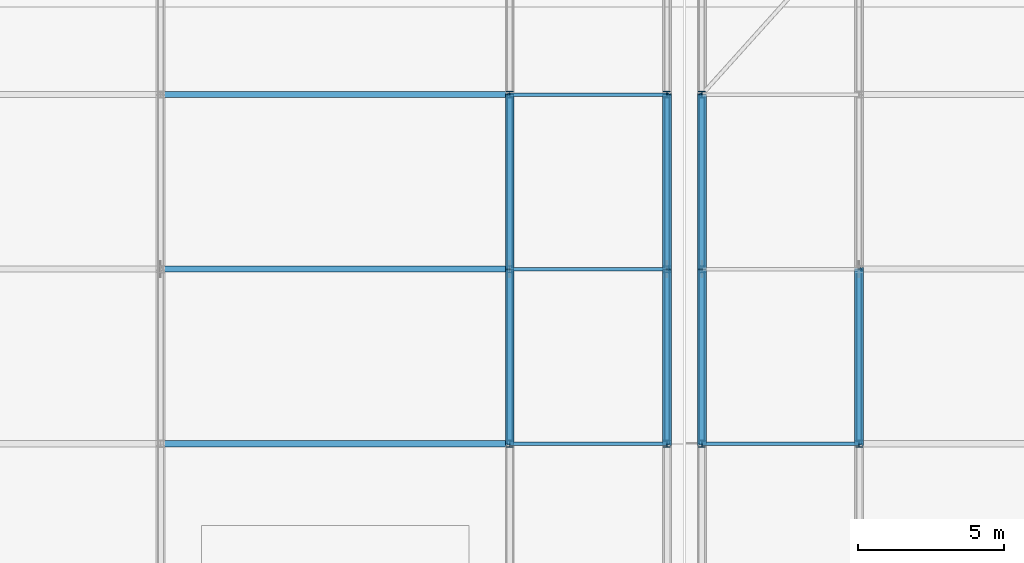
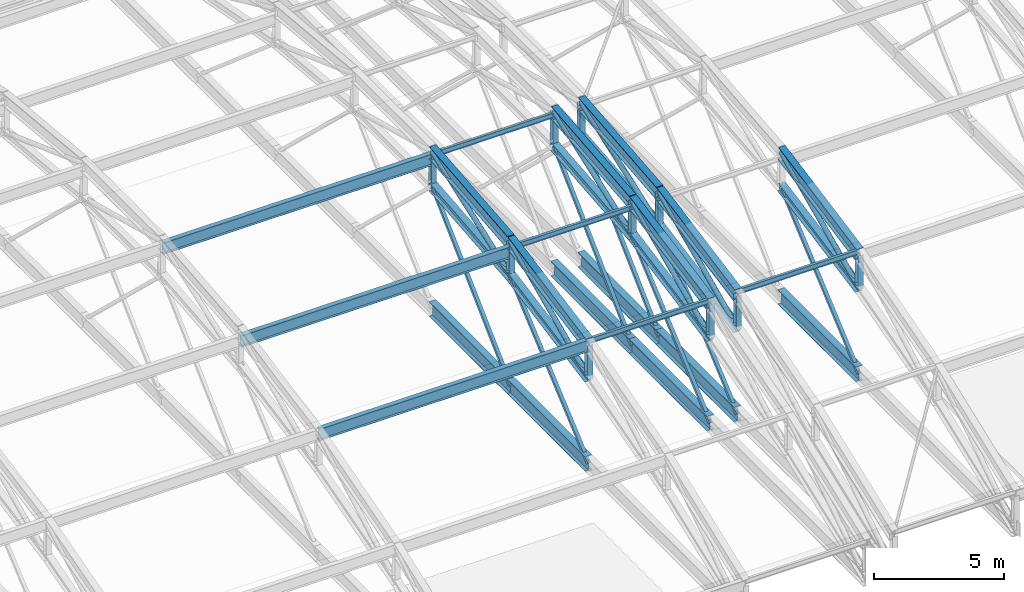
# One storey, part 125 of 204: 52 members.
"""IFC4 building model written with IfcOpenShell, lengths in metres."""

from ifc_helpers import new_model, si_unit, direction, frame, origin, origin_2d, place, context, subcontext, project, spatial, hollow_rectangle, hollow_circle, i_section, extrude, material, material_profile, profile_set, type_object, element, save


model = new_model("IFC4")

# Units and contexts
model_context = context("Model", 3, precision=1e-05, world=origin(), true_north=direction((0.0, 1.0)))
body_context = subcontext(model_context, "Body", "Model", "MODEL_VIEW")
ifc_project = project(units=[si_unit("LENGTHUNIT", "METRE"), si_unit("AREAUNIT", "SQUARE_METRE"), si_unit("VOLUMEUNIT", "CUBIC_METRE"), si_unit("PLANEANGLEUNIT", "RADIAN"), si_unit("MASSUNIT", "GRAM", prefix="KILO")], contexts=[model_context])

# Site, building, storey
site_placement = place(None, origin())
site = spatial("IfcSite", under=ifc_project, at=site_placement, CompositionType="ELEMENT")
building_placement = place(site_placement, origin())
building = spatial("IfcBuilding", under=site, at=building_placement, Name="Zilviju Railside Exhibition Hall", CompositionType="ELEMENT")
storey_placement = place(building_placement, frame((0.0, 0.0, 21.0)))
storey = spatial("IfcBuildingStorey", under=building, at=storey_placement, Name="RF", CompositionType="ELEMENT", Elevation=21.0)

# Members
ifc_material = material(Name="Steel S355J2", Category="steel")
ifc_material_profile_1 = material_profile(ifc_material, hollow_circle(Radius=0.109619140625, WallThickness=0.010009765625, at=origin_2d()), Name="CHS 219.1x10.0")
ifc_profile_set_1 = profile_set([ifc_material_profile_1], Name="Steel S355J2")
member_type_1 = type_object("IfcMemberType", Name="TR-BR-CHS219", PredefinedType="BRACE", material=ifc_profile_set_1)
member_1_placement = place(storey_placement, frame((168.0, 96.0, 0.409912109375), z_axis=(0.0, 0.909316915895, 0.416104249518), x_axis=(-1.0, 0.0, 0.0)))
element("IfcMember", 1, at=member_1_placement, inside=storey, type_object=member_type_1, Name="V2 Parabolic Arch Web Diagonal X=168.0 P3", PredefinedType="BRACE", context=body_context, shape_type="SweptSolid", body=[
    extrude(hollow_circle(Radius=0.109619140625, WallThickness=0.010009765625, at=origin_2d()), origin(), (0.0, 0.0, 1.0), 6.598388671875),
])
member_2_placement = place(storey_placement, frame((168.0, 102.0, 1.5556640625), z_axis=(0.0, 0.940243888255, 0.340501733621), x_axis=(-1.0, 0.0, 0.0)))
element("IfcMember", 2, at=member_2_placement, inside=storey, type_object=member_type_1, Name="V2 Parabolic Arch Web Diagonal X=168.0 P4", PredefinedType="BRACE", context=body_context, shape_type="SweptSolid", body=[
    extrude(hollow_circle(Radius=0.109619140625, WallThickness=0.010009765625, at=origin_2d()), origin(), (0.0, 0.0, 1.0), 6.38134765625),
])
member_3_placement = place(storey_placement, frame((173.39990234375, 96.0, 0.409912109375), z_axis=(0.0, 0.909316915895, 0.416104249518), x_axis=(-1.0, 0.0, 0.0)))
element("IfcMember", 3, at=member_3_placement, inside=storey, type_object=member_type_1, Name="V2 Parabolic Arch Web Diagonal X=173.4 P3", PredefinedType="BRACE", context=body_context, shape_type="SweptSolid", body=[
    extrude(hollow_circle(Radius=0.109619140625, WallThickness=0.010009765625, at=origin_2d()), origin(), (0.0, 0.0, 1.0), 6.598388671875),
])
member_4_placement = place(storey_placement, frame((173.39990234375, 102.0, 1.5556640625), z_axis=(0.0, 0.940243888255, 0.340501733621), x_axis=(-1.0, 0.0, 0.0)))
element("IfcMember", 4, at=member_4_placement, inside=storey, type_object=member_type_1, Name="V2 Parabolic Arch Web Diagonal X=173.4 P4", PredefinedType="BRACE", context=body_context, shape_type="SweptSolid", body=[
    extrude(hollow_circle(Radius=0.109619140625, WallThickness=0.010009765625, at=origin_2d()), origin(), (0.0, 0.0, 1.0), 6.38134765625),
])
member_5_placement = place(storey_placement, frame((174.60009765625, 96.0, 0.409912109375), z_axis=(0.0, 0.909316915895, 0.416104249518), x_axis=(-1.0, 0.0, 0.0)))
element("IfcMember", 5, at=member_5_placement, inside=storey, type_object=member_type_1, Name="V2 Parabolic Arch Web Diagonal X=174.6 P3", PredefinedType="BRACE", context=body_context, shape_type="SweptSolid", body=[
    extrude(hollow_circle(Radius=0.109619140625, WallThickness=0.010009765625, at=origin_2d()), origin(), (0.0, 0.0, 1.0), 6.598388671875),
])
member_6_placement = place(storey_placement, frame((174.60009765625, 102.0, 1.5556640625), z_axis=(0.0, 0.940243888255, 0.340501733621), x_axis=(-1.0, 0.0, 0.0)))
element("IfcMember", 6, at=member_6_placement, inside=storey, type_object=member_type_1, Name="V2 Parabolic Arch Web Diagonal X=174.6 P4", PredefinedType="BRACE", context=body_context, shape_type="SweptSolid", body=[
    extrude(hollow_circle(Radius=0.109619140625, WallThickness=0.010009765625, at=origin_2d()), origin(), (0.0, 0.0, 1.0), 6.38134765625),
])
member_7_placement = place(storey_placement, frame((180.0, 96.0, 0.409912109375), z_axis=(0.0, 0.909316915895, 0.416104249518), x_axis=(-1.0, 0.0, 0.0)))
element("IfcMember", 7, at=member_7_placement, inside=storey, type_object=member_type_1, Name="V2 Parabolic Arch Web Diagonal X=180.0 P3", PredefinedType="BRACE", context=body_context, shape_type="SweptSolid", body=[
    extrude(hollow_circle(Radius=0.109619140625, WallThickness=0.010009765625, at=origin_2d()), origin(), (0.0, 0.0, 1.0), 6.598388671875),
])
ifc_material_profile_2 = material_profile(ifc_material, i_section(OverallWidth=0.300048828125, OverallDepth=0.39990234375, WebThickness=0.013427734375, FlangeThickness=0.02392578125, at=origin_2d()), Name="HEB 400")
ifc_profile_set_2 = profile_set([ifc_material_profile_2], Name="Steel S355J2")
member_type_2 = type_object("IfcMemberType", Name="TR-CH-HEB400", PredefinedType="CHORD", material=ifc_profile_set_2)
member_8_placement = place(storey_placement, frame((168.0, 96.0, 0.409912109375), z_axis=(0.0, 0.98225135267, 0.187569400964), x_axis=(-1.0, 0.0, 0.0)))
element("IfcMember", 8, at=member_8_placement, inside=storey, type_object=member_type_2, Name="V2 Parabolic Arch Bottom Chord X=168.0 P3", PredefinedType="CHORD", context=body_context, shape_type="SweptSolid", body=[
    extrude(i_section(OverallWidth=0.300048828125, OverallDepth=0.39990234375, WebThickness=0.013427734375, FlangeThickness=0.02392578125, at=origin_2d()), origin(), (0.0, 0.0, 1.0), 6.1083984375),
])
member_9_placement = place(storey_placement, frame((168.0, 102.0, 1.5556640625), z_axis=(0.0, 0.995474695123, 0.095027003367), x_axis=(-1.0, 0.0, 0.0)))
element("IfcMember", 9, at=member_9_placement, inside=storey, type_object=member_type_2, Name="V2 Parabolic Arch Bottom Chord X=168.0 P4", PredefinedType="CHORD", context=body_context, shape_type="SweptSolid", body=[
    extrude(i_section(OverallWidth=0.300048828125, OverallDepth=0.39990234375, WebThickness=0.013427734375, FlangeThickness=0.02392578125, at=origin_2d()), origin(), (0.0, 0.0, 1.0), 6.02734375),
])
member_10_placement = place(storey_placement, frame((173.39990234375, 96.0, 0.409912109375), z_axis=(0.0, 0.98225135267, 0.187569400964), x_axis=(-1.0, 0.0, 0.0)))
element("IfcMember", 10, at=member_10_placement, inside=storey, type_object=member_type_2, Name="V2 Parabolic Arch Bottom Chord X=173.4 P3", PredefinedType="CHORD", context=body_context, shape_type="SweptSolid", body=[
    extrude(i_section(OverallWidth=0.300048828125, OverallDepth=0.39990234375, WebThickness=0.013427734375, FlangeThickness=0.02392578125, at=origin_2d()), origin(), (0.0, 0.0, 1.0), 6.1083984375),
])
member_11_placement = place(storey_placement, frame((173.39990234375, 102.0, 1.5556640625), z_axis=(0.0, 0.995474695123, 0.095027003367), x_axis=(-1.0, 0.0, 0.0)))
element("IfcMember", 11, at=member_11_placement, inside=storey, type_object=member_type_2, Name="V2 Parabolic Arch Bottom Chord X=173.4 P4", PredefinedType="CHORD", context=body_context, shape_type="SweptSolid", body=[
    extrude(i_section(OverallWidth=0.300048828125, OverallDepth=0.39990234375, WebThickness=0.013427734375, FlangeThickness=0.02392578125, at=origin_2d()), origin(), (0.0, 0.0, 1.0), 6.02734375),
])
member_12_placement = place(storey_placement, frame((174.60009765625, 96.0, 0.409912109375), z_axis=(0.0, 0.98225135267, 0.187569400964), x_axis=(-1.0, 0.0, 0.0)))
element("IfcMember", 12, at=member_12_placement, inside=storey, type_object=member_type_2, Name="V2 Parabolic Arch Bottom Chord X=174.6 P3", PredefinedType="CHORD", context=body_context, shape_type="SweptSolid", body=[
    extrude(i_section(OverallWidth=0.300048828125, OverallDepth=0.39990234375, WebThickness=0.013427734375, FlangeThickness=0.02392578125, at=origin_2d()), origin(), (0.0, 0.0, 1.0), 6.1083984375),
])
member_13_placement = place(storey_placement, frame((174.60009765625, 102.0, 1.5556640625), z_axis=(0.0, 0.995474695123, 0.095027003367), x_axis=(-1.0, 0.0, 0.0)))
element("IfcMember", 13, at=member_13_placement, inside=storey, type_object=member_type_2, Name="V2 Parabolic Arch Bottom Chord X=174.6 P4", PredefinedType="CHORD", context=body_context, shape_type="SweptSolid", body=[
    extrude(i_section(OverallWidth=0.300048828125, OverallDepth=0.39990234375, WebThickness=0.013427734375, FlangeThickness=0.02392578125, at=origin_2d()), origin(), (0.0, 0.0, 1.0), 6.02734375),
])
member_14_placement = place(storey_placement, frame((180.0, 96.0, 0.409912109375), z_axis=(0.0, 0.98225135267, 0.187569400964), x_axis=(-1.0, 0.0, 0.0)))
element("IfcMember", 14, at=member_14_placement, inside=storey, type_object=member_type_2, Name="V2 Parabolic Arch Bottom Chord X=180.0 P3", PredefinedType="CHORD", context=body_context, shape_type="SweptSolid", body=[
    extrude(i_section(OverallWidth=0.300048828125, OverallDepth=0.39990234375, WebThickness=0.013427734375, FlangeThickness=0.02392578125, at=origin_2d()), origin(), (0.0, 0.0, 1.0), 6.1083984375),
])
ifc_material_profile_3 = material_profile(ifc_material, i_section(OverallWidth=0.300048828125, OverallDepth=0.60009765625, WebThickness=0.015380859375, FlangeThickness=0.030029296875, at=origin_2d()), Name="HEB 600")
ifc_profile_set_3 = profile_set([ifc_material_profile_3], Name="Steel S355J2")
member_type_3 = type_object("IfcMemberType", Name="TR-CH-HEB600", PredefinedType="CHORD", material=ifc_profile_set_3)
member_15_placement = place(storey_placement, frame((168.0, 96.0, 2.009765625), z_axis=(0.0, 0.98225135267, 0.187569400964), x_axis=(-1.0, 0.0, 0.0)))
element("IfcMember", 15, at=member_15_placement, inside=storey, type_object=member_type_3, Name="V2 Parabolic Arch Top Chord X=168.0 P3", PredefinedType="CHORD", context=body_context, shape_type="SweptSolid", body=[
    extrude(i_section(OverallWidth=0.300048828125, OverallDepth=0.60009765625, WebThickness=0.015380859375, FlangeThickness=0.030029296875, at=origin_2d()), origin(), (0.0, 0.0, 1.0), 6.1083984375),
])
member_16_placement = place(storey_placement, frame((168.0, 102.0, 3.155517578125), z_axis=(0.0, 0.995470862587, 0.095067143331), x_axis=(-1.0, 0.0, 0.0)))
element("IfcMember", 16, at=member_16_placement, inside=storey, type_object=member_type_3, Name="V2 Parabolic Arch Top Chord X=168.0 P4", PredefinedType="CHORD", context=body_context, shape_type="SweptSolid", body=[
    extrude(i_section(OverallWidth=0.300048828125, OverallDepth=0.60009765625, WebThickness=0.015380859375, FlangeThickness=0.030029296875, at=origin_2d()), origin(), (0.0, 0.0, 1.0), 6.02734375),
])
member_17_placement = place(storey_placement, frame((173.39990234375, 96.0, 2.009765625), z_axis=(0.0, 0.98225135267, 0.187569400964), x_axis=(-1.0, 0.0, 0.0)))
element("IfcMember", 17, at=member_17_placement, inside=storey, type_object=member_type_3, Name="V2 Parabolic Arch Top Chord X=173.4 P3", PredefinedType="CHORD", context=body_context, shape_type="SweptSolid", body=[
    extrude(i_section(OverallWidth=0.300048828125, OverallDepth=0.60009765625, WebThickness=0.015380859375, FlangeThickness=0.030029296875, at=origin_2d()), origin(), (0.0, 0.0, 1.0), 6.1083984375),
])
member_18_placement = place(storey_placement, frame((173.39990234375, 102.0, 3.155517578125), z_axis=(0.0, 0.995470862587, 0.095067143331), x_axis=(-1.0, 0.0, 0.0)))
element("IfcMember", 18, at=member_18_placement, inside=storey, type_object=member_type_3, Name="V2 Parabolic Arch Top Chord X=173.4 P4", PredefinedType="CHORD", context=body_context, shape_type="SweptSolid", body=[
    extrude(i_section(OverallWidth=0.300048828125, OverallDepth=0.60009765625, WebThickness=0.015380859375, FlangeThickness=0.030029296875, at=origin_2d()), origin(), (0.0, 0.0, 1.0), 6.02734375),
])
member_19_placement = place(storey_placement, frame((174.60009765625, 96.0, 2.009765625), z_axis=(0.0, 0.98225135267, 0.187569400964), x_axis=(-1.0, 0.0, 0.0)))
element("IfcMember", 19, at=member_19_placement, inside=storey, type_object=member_type_3, Name="V2 Parabolic Arch Top Chord X=174.6 P3", PredefinedType="CHORD", context=body_context, shape_type="SweptSolid", body=[
    extrude(i_section(OverallWidth=0.300048828125, OverallDepth=0.60009765625, WebThickness=0.015380859375, FlangeThickness=0.030029296875, at=origin_2d()), origin(), (0.0, 0.0, 1.0), 6.1083984375),
])
member_20_placement = place(storey_placement, frame((174.60009765625, 102.0, 3.155517578125), z_axis=(0.0, 0.995470862587, 0.095067143331), x_axis=(-1.0, 0.0, 0.0)))
element("IfcMember", 20, at=member_20_placement, inside=storey, type_object=member_type_3, Name="V2 Parabolic Arch Top Chord X=174.6 P4", PredefinedType="CHORD", context=body_context, shape_type="SweptSolid", body=[
    extrude(i_section(OverallWidth=0.300048828125, OverallDepth=0.60009765625, WebThickness=0.015380859375, FlangeThickness=0.030029296875, at=origin_2d()), origin(), (0.0, 0.0, 1.0), 6.02734375),
])
member_21_placement = place(storey_placement, frame((180.0, 96.0, 2.009765625), z_axis=(0.0, 0.98225135267, 0.187569400964), x_axis=(-1.0, 0.0, 0.0)))
element("IfcMember", 21, at=member_21_placement, inside=storey, type_object=member_type_3, Name="V2 Parabolic Arch Top Chord X=180.0 P3", PredefinedType="CHORD", context=body_context, shape_type="SweptSolid", body=[
    extrude(i_section(OverallWidth=0.300048828125, OverallDepth=0.60009765625, WebThickness=0.015380859375, FlangeThickness=0.030029296875, at=origin_2d()), origin(), (0.0, 0.0, 1.0), 6.1083984375),
])
ifc_material_profile_4 = material_profile(ifc_material, i_section(OverallWidth=0.239990234375, OverallDepth=0.22998046875, WebThickness=0.007568359375, FlangeThickness=0.011962890625, at=origin_2d()), Name="HEA 240")
ifc_profile_set_4 = profile_set([ifc_material_profile_4], Name="Steel S355J2")
member_type_4 = type_object("IfcMemberType", Name="TR-POST-HEA240", PredefinedType="POST", material=ifc_profile_set_4)
for number, where, z_axis, x_axis, name in (
    (22, (168.0, 96.0, 0.409912109375), (0.0, 0.0, 1.0), (1.0, 0.0, 0.0), "V2 Parabolic Arch Web Post X=168.0 N2"),
    (23, (168.0, 102.0, 1.5556640625), (0.0, 0.0, 1.0), (1.0, 0.0, 0.0), "V2 Parabolic Arch Web Post X=168.0 N3"),
):
    element("IfcMember", number, at=place(storey_placement, frame(where, z_axis=z_axis, x_axis=x_axis)), inside=storey, type_object=member_type_4, Name=name, PredefinedType="POST", context=body_context, shape_type="SweptSolid", body=[
        extrude(i_section(OverallWidth=0.239990234375, OverallDepth=0.22998046875, WebThickness=0.007568359375, FlangeThickness=0.011962890625, at=origin_2d()), origin(), (0.0, 0.0, 1.0), 1.599853515625),
    ])
member_22_placement = place(storey_placement, frame((168.0, 108.0, 2.12841796875), z_axis=(0.0, 0.0, 1.0), x_axis=(1.0, 0.0, 0.0)))
element("IfcMember", 24, at=member_22_placement, inside=storey, type_object=member_type_4, Name="V2 Parabolic Arch Web Post X=168.0 N4", PredefinedType="POST", context=body_context, shape_type="SweptSolid", body=[
    extrude(i_section(OverallWidth=0.239990234375, OverallDepth=0.22998046875, WebThickness=0.007568359375, FlangeThickness=0.011962890625, at=origin_2d()), origin(), (0.0, 0.0, 1.0), 1.60009765625),
])
for number, where, z_axis, x_axis, name in (
    (25, (173.39990234375, 96.0, 0.409912109375), (0.0, 0.0, 1.0), (1.0, 0.0, 0.0), "V2 Parabolic Arch Web Post X=173.4 N2"),
    (26, (173.39990234375, 102.0, 1.5556640625), (0.0, 0.0, 1.0), (1.0, 0.0, 0.0), "V2 Parabolic Arch Web Post X=173.4 N3"),
):
    element("IfcMember", number, at=place(storey_placement, frame(where, z_axis=z_axis, x_axis=x_axis)), inside=storey, type_object=member_type_4, Name=name, PredefinedType="POST", context=body_context, shape_type="SweptSolid", body=[
        extrude(i_section(OverallWidth=0.239990234375, OverallDepth=0.22998046875, WebThickness=0.007568359375, FlangeThickness=0.011962890625, at=origin_2d()), origin(), (0.0, 0.0, 1.0), 1.599853515625),
    ])
member_23_placement = place(storey_placement, frame((173.39990234375, 108.0, 2.12841796875), z_axis=(0.0, 0.0, 1.0), x_axis=(1.0, 0.0, 0.0)))
element("IfcMember", 27, at=member_23_placement, inside=storey, type_object=member_type_4, Name="V2 Parabolic Arch Web Post X=173.4 N4", PredefinedType="POST", context=body_context, shape_type="SweptSolid", body=[
    extrude(i_section(OverallWidth=0.239990234375, OverallDepth=0.22998046875, WebThickness=0.007568359375, FlangeThickness=0.011962890625, at=origin_2d()), origin(), (0.0, 0.0, 1.0), 1.60009765625),
])
for number, where, z_axis, x_axis, name in (
    (28, (174.60009765625, 96.0, 0.409912109375), (0.0, 0.0, 1.0), (1.0, 0.0, 0.0), "V2 Parabolic Arch Web Post X=174.6 N2"),
    (29, (174.60009765625, 102.0, 1.5556640625), (0.0, 0.0, 1.0), (1.0, 0.0, 0.0), "V2 Parabolic Arch Web Post X=174.6 N3"),
):
    element("IfcMember", number, at=place(storey_placement, frame(where, z_axis=z_axis, x_axis=x_axis)), inside=storey, type_object=member_type_4, Name=name, PredefinedType="POST", context=body_context, shape_type="SweptSolid", body=[
        extrude(i_section(OverallWidth=0.239990234375, OverallDepth=0.22998046875, WebThickness=0.007568359375, FlangeThickness=0.011962890625, at=origin_2d()), origin(), (0.0, 0.0, 1.0), 1.599853515625),
    ])
member_24_placement = place(storey_placement, frame((174.60009765625, 108.0, 2.12841796875), z_axis=(0.0, 0.0, 1.0), x_axis=(1.0, 0.0, 0.0)))
element("IfcMember", 30, at=member_24_placement, inside=storey, type_object=member_type_4, Name="V2 Parabolic Arch Web Post X=174.6 N4", PredefinedType="POST", context=body_context, shape_type="SweptSolid", body=[
    extrude(i_section(OverallWidth=0.239990234375, OverallDepth=0.22998046875, WebThickness=0.007568359375, FlangeThickness=0.011962890625, at=origin_2d()), origin(), (0.0, 0.0, 1.0), 1.60009765625),
])
member_25_placement = place(storey_placement, frame((180.0, 96.0, 0.409912109375), z_axis=(0.0, 0.0, 1.0), x_axis=(1.0, 0.0, 0.0)))
element("IfcMember", 31, at=member_25_placement, inside=storey, type_object=member_type_4, Name="V2 Parabolic Arch Web Post X=180.0 N2", PredefinedType="POST", context=body_context, shape_type="SweptSolid", body=[
    extrude(i_section(OverallWidth=0.239990234375, OverallDepth=0.22998046875, WebThickness=0.007568359375, FlangeThickness=0.011962890625, at=origin_2d()), origin(), (0.0, 0.0, 1.0), 1.599853515625),
])
ifc_material_profile_5 = material_profile(ifc_material, hollow_rectangle(XDim=0.14990234375, YDim=0.14990234375, WallThickness=0.008056640625, at=origin_2d()), Name="SHS 150x150x8.0")
ifc_profile_set_5 = profile_set([ifc_material_profile_5], Name="Steel S355J2")
member_type_5 = type_object("IfcMemberType", Name="TR-POST-SHS150", PredefinedType="POST", material=ifc_profile_set_5)
member_26_placement = place(storey_placement, frame((168.0, 96.0, -3.60009765625), z_axis=(0.0, 0.758449992634, 0.651731239602), x_axis=(-1.0, 0.0, 0.0)))
element("IfcMember", 32, at=member_26_placement, inside=storey, type_object=member_type_5, Name="V2 Arch Tie Hanger X=168.0 N2", PredefinedType="POST", context=body_context, shape_type="SweptSolid", body=[
    extrude(hollow_rectangle(XDim=0.14990234375, YDim=0.14990234375, WallThickness=0.008056640625, at=origin_2d()), origin(), (0.0, 0.0, 1.0), 7.910888671875),
])
member_27_placement = place(storey_placement, frame((168.0, 102.0, -3.60009765625), z_axis=(0.0, 0.723280707221, 0.690554138763), x_axis=(-1.0, 0.0, 0.0)))
element("IfcMember", 33, at=member_27_placement, inside=storey, type_object=member_type_5, Name="V2 Arch Tie Hanger X=168.0 N3", PredefinedType="POST", context=body_context, shape_type="SweptSolid", body=[
    extrude(hollow_rectangle(XDim=0.14990234375, YDim=0.14990234375, WallThickness=0.008056640625, at=origin_2d()), origin(), (0.0, 0.0, 1.0), 8.295654296875),
])
member_28_placement = place(storey_placement, frame((173.39990234375, 96.0, -3.60009765625), z_axis=(0.0, 0.758449992634, 0.651731239602), x_axis=(-1.0, 0.0, 0.0)))
element("IfcMember", 34, at=member_28_placement, inside=storey, type_object=member_type_5, Name="V2 Arch Tie Hanger X=173.4 N2", PredefinedType="POST", context=body_context, shape_type="SweptSolid", body=[
    extrude(hollow_rectangle(XDim=0.14990234375, YDim=0.14990234375, WallThickness=0.008056640625, at=origin_2d()), origin(), (0.0, 0.0, 1.0), 7.910888671875),
])
member_29_placement = place(storey_placement, frame((173.39990234375, 102.0, -3.60009765625), z_axis=(0.0, 0.723280707221, 0.690554138763), x_axis=(-1.0, 0.0, 0.0)))
element("IfcMember", 35, at=member_29_placement, inside=storey, type_object=member_type_5, Name="V2 Arch Tie Hanger X=173.4 N3", PredefinedType="POST", context=body_context, shape_type="SweptSolid", body=[
    extrude(hollow_rectangle(XDim=0.14990234375, YDim=0.14990234375, WallThickness=0.008056640625, at=origin_2d()), origin(), (0.0, 0.0, 1.0), 8.295654296875),
])
member_30_placement = place(storey_placement, frame((174.60009765625, 96.0, -3.60009765625), z_axis=(0.0, 0.758449992634, 0.651731239602), x_axis=(-1.0, 0.0, 0.0)))
element("IfcMember", 36, at=member_30_placement, inside=storey, type_object=member_type_5, Name="V2 Arch Tie Hanger X=174.6 N2", PredefinedType="POST", context=body_context, shape_type="SweptSolid", body=[
    extrude(hollow_rectangle(XDim=0.14990234375, YDim=0.14990234375, WallThickness=0.008056640625, at=origin_2d()), origin(), (0.0, 0.0, 1.0), 7.910888671875),
])
member_31_placement = place(storey_placement, frame((174.60009765625, 102.0, -3.60009765625), z_axis=(0.0, 0.723280707221, 0.690554138763), x_axis=(-1.0, 0.0, 0.0)))
element("IfcMember", 37, at=member_31_placement, inside=storey, type_object=member_type_5, Name="V2 Arch Tie Hanger X=174.6 N3", PredefinedType="POST", context=body_context, shape_type="SweptSolid", body=[
    extrude(hollow_rectangle(XDim=0.14990234375, YDim=0.14990234375, WallThickness=0.008056640625, at=origin_2d()), origin(), (0.0, 0.0, 1.0), 8.295654296875),
])
member_32_placement = place(storey_placement, frame((180.0, 96.0, -3.60009765625), z_axis=(0.0, 0.758449992634, 0.651731239602), x_axis=(-1.0, 0.0, 0.0)))
element("IfcMember", 38, at=member_32_placement, inside=storey, type_object=member_type_5, Name="V2 Arch Tie Hanger X=180.0 N2", PredefinedType="POST", context=body_context, shape_type="SweptSolid", body=[
    extrude(hollow_rectangle(XDim=0.14990234375, YDim=0.14990234375, WallThickness=0.008056640625, at=origin_2d()), origin(), (0.0, 0.0, 1.0), 7.910888671875),
])
ifc_material_profile_6 = material_profile(ifc_material, i_section(OverallWidth=0.1201171875, OverallDepth=0.239990234375, WebThickness=0.006103515625, FlangeThickness=0.009765625, at=origin_2d()), Name="IPE 240")
ifc_profile_set_6 = profile_set([ifc_material_profile_6], Name="Steel S355J2")
member_type_6 = type_object("IfcMemberType", Name="TR-PUR-IPE240", PredefinedType="PURLIN", material=ifc_profile_set_6)
for number, where, z_axis, x_axis, name in (
    (39, (168.0, 96.0, 2.14306640625), (1.0, 0.0, 0.0), (0.0, 1.0, 0.0), "V2 Barrel Vault Roof Purlin Y=96.0 (168.0..173.4)"),
    (40, (168.0, 102.0, 2.877197265625), (1.0, 0.0, 0.0), (0.0, 1.0, 0.0), "V2 Barrel Vault Roof Purlin Y=102.0 (168.0..173.4)"),
    (41, (168.0, 108.0, 3.593017578125), (1.0, 0.0, 0.0), (0.0, 1.0, 0.0), "V2 Barrel Vault Roof Purlin Y=108.0 (168.0..173.4)"),
    (42, (174.60009765625, 96.0, 2.14306640625), (1.0, 0.0, 0.0), (0.0, 1.0, 0.0), "V2 Barrel Vault Roof Purlin Y=96.0 (174.6..180.0)"),
):
    element("IfcMember", number, at=place(storey_placement, frame(where, z_axis=z_axis, x_axis=x_axis)), inside=storey, type_object=member_type_6, Name=name, PredefinedType="PURLIN", context=body_context, shape_type="SweptSolid", body=[
        extrude(i_section(OverallWidth=0.1201171875, OverallDepth=0.239990234375, WebThickness=0.006103515625, FlangeThickness=0.009765625, at=origin_2d()), origin(), (0.0, 0.0, 1.0), 5.39990234375),
    ])
ifc_material_profile_7 = material_profile(ifc_material, i_section(OverallWidth=0.2099609375, OverallDepth=0.550048828125, WebThickness=0.010986328125, FlangeThickness=0.01708984375, at=origin_2d()), Name="IPE 550")
ifc_profile_set_7 = profile_set([ifc_material_profile_7], Name="Steel S355J2")
member_type_7 = type_object("IfcMemberType", Name="TR-PUR-IPE550", PredefinedType="PURLIN", material=ifc_profile_set_7)
for number, where, z_axis, x_axis, name in (
    (43, (156.0, 96.0, 1.97509765625), (1.0, 0.0, 0.0), (0.0, 1.0, 0.0), "V2 Barrel Vault Roof Purlin Y=96.0 (156.0..168.0)"),
    (44, (156.0, 102.0, 2.716796875), (1.0, 0.0, 0.0), (0.0, 1.0, 0.0), "V2 Barrel Vault Roof Purlin Y=102.0 (156.0..168.0)"),
    (45, (156.0, 108.0, 3.4326171875), (1.0, 0.0, 0.0), (0.0, 1.0, 0.0), "V2 Barrel Vault Roof Purlin Y=108.0 (156.0..168.0)"),
):
    element("IfcMember", number, at=place(storey_placement, frame(where, z_axis=z_axis, x_axis=x_axis)), inside=storey, type_object=member_type_7, Name=name, PredefinedType="PURLIN", context=body_context, shape_type="SweptSolid", body=[
        extrude(i_section(OverallWidth=0.2099609375, OverallDepth=0.550048828125, WebThickness=0.010986328125, FlangeThickness=0.01708984375, at=origin_2d()), origin(), (0.0, 0.0, 1.0), 12.0),
    ])
ifc_material_profile_8 = material_profile(ifc_material, i_section(OverallWidth=0.300048828125, OverallDepth=0.699951171875, WebThickness=0.01708984375, FlangeThickness=0.031982421875, at=origin_2d()), Name="HEB 700")
ifc_profile_set_8 = profile_set([ifc_material_profile_8], Name="Steel S355J2")
member_type_8 = type_object("IfcMemberType", Name="TR-TIE-HEB700", PredefinedType="CHORD", material=ifc_profile_set_8)
for number, where, z_axis, x_axis, name in (
    (46, (168.0, 96.0, -3.60009765625), (0.0, 1.0, 0.0), (-1.0, 0.0, 0.0), "V2 Arch Tie Member X=168.0"),
    (47, (168.0, 102.0, -3.60009765625), (0.0, 1.0, 0.0), (-1.0, 0.0, 0.0), "V2 Arch Tie Member X=168.0"),
    (48, (173.39990234375, 96.0, -3.60009765625), (0.0, 1.0, 0.0), (-1.0, 0.0, 0.0), "V2 Arch Tie Member X=173.4"),
    (49, (173.39990234375, 102.0, -3.60009765625), (0.0, 1.0, 0.0), (-1.0, 0.0, 0.0), "V2 Arch Tie Member X=173.4"),
    (50, (174.60009765625, 96.0, -3.60009765625), (0.0, 1.0, 0.0), (-1.0, 0.0, 0.0), "V2 Arch Tie Member X=174.6"),
    (51, (174.60009765625, 102.0, -3.60009765625), (0.0, 1.0, 0.0), (-1.0, 0.0, 0.0), "V2 Arch Tie Member X=174.6"),
    (52, (180.0, 96.0, -3.60009765625), (0.0, 1.0, 0.0), (-1.0, 0.0, 0.0), "V2 Arch Tie Member X=180.0"),
):
    element("IfcMember", number, at=place(storey_placement, frame(where, z_axis=z_axis, x_axis=x_axis)), inside=storey, type_object=member_type_8, Name=name, PredefinedType="CHORD", context=body_context, shape_type="SweptSolid", body=[
        extrude(i_section(OverallWidth=0.300048828125, OverallDepth=0.699951171875, WebThickness=0.01708984375, FlangeThickness=0.031982421875, at=origin_2d()), origin(), (0.0, 0.0, 1.0), 6.0),
    ])

save(model, "model.ifc")
